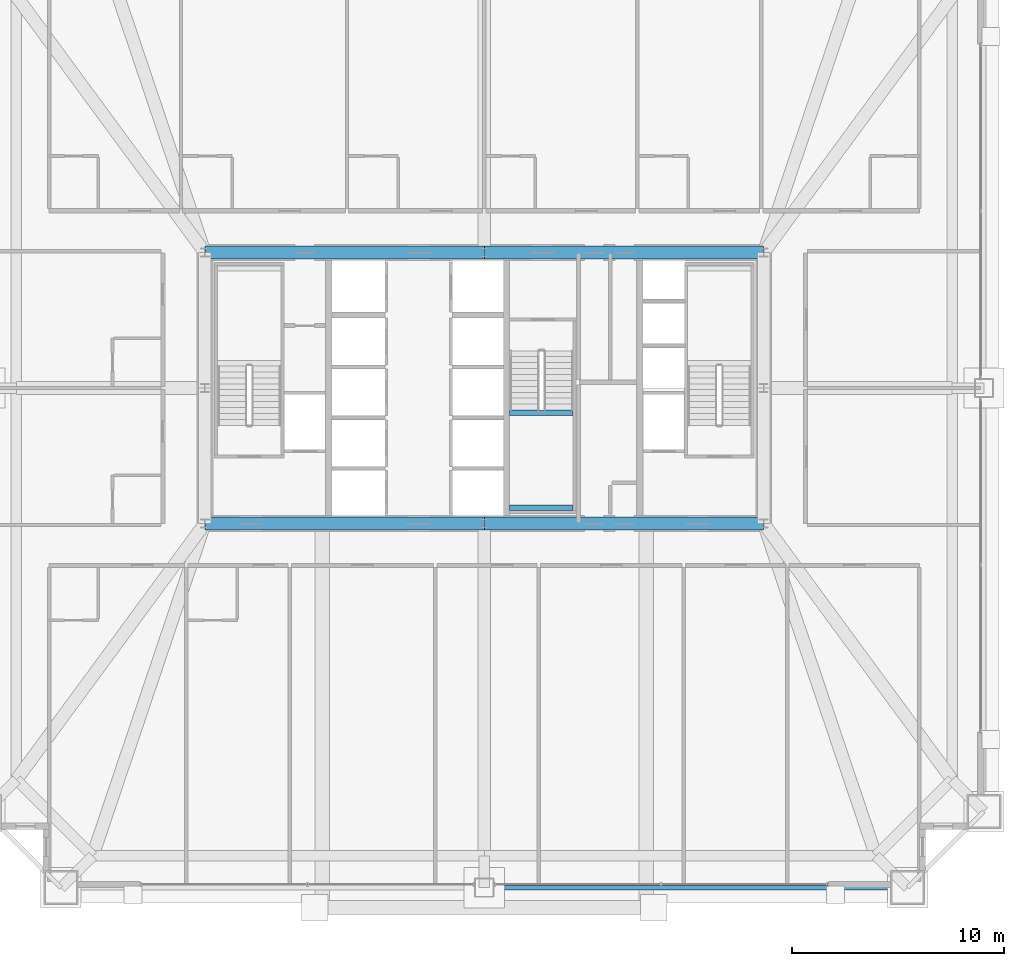
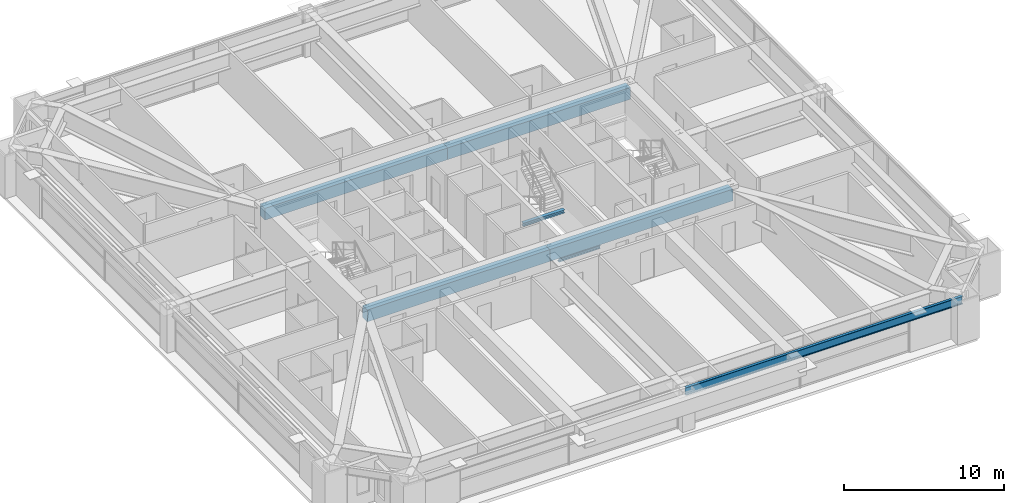
# One storey, part 15 of 45: 7 beams.
"""IFC4 building model written with IfcOpenShell, lengths in metres."""

from ifc_helpers import new_model, si_unit, direction, frame, origin, origin_2d, place, context, subcontext, project, spatial, rectangle, i_section, extrude, source, transform, mapped, material, material_profile, profile_set, type_object, element, save


model = new_model("IFC4")

# Units and contexts
model_context = context("Model", 3, precision=1e-05, world=origin(), true_north=direction((0.0, 1.0)))
body_context = subcontext(model_context, "Body", "Model", "MODEL_VIEW")
ifc_project = project(units=[si_unit("LENGTHUNIT", "METRE"), si_unit("AREAUNIT", "SQUARE_METRE"), si_unit("VOLUMEUNIT", "CUBIC_METRE"), si_unit("PLANEANGLEUNIT", "RADIAN"), si_unit("MASSUNIT", "GRAM", prefix="KILO"), si_unit("THERMODYNAMICTEMPERATUREUNIT", "KELVIN"), si_unit("POWERUNIT", "WATT")], contexts=[model_context])

# Site, building, storey
site_placement = place(None, origin())
site = spatial("IfcSite", under=ifc_project, at=site_placement, CompositionType="ELEMENT")
building_placement = place(site_placement, origin())
building = spatial("IfcBuilding", under=site, at=building_placement, Name="Yuzanri Waterfront Tower", CompositionType="ELEMENT")
storey_placement = place(building_placement, frame((0.0, 0.0, 163.199951171875)))
storey = spatial("IfcBuildingStorey", under=building, at=storey_placement, Name="L43", CompositionType="ELEMENT", Elevation=163.199951171875)

# Beams
ifc_material_1 = material(Name="Concrete C60", Category="concrete")
ifc_material_profile_1 = material_profile(ifc_material_1, rectangle(XDim=0.60009765625, YDim=0.89990234375, at=origin_2d()), Name="RC 600x900")
ifc_profile_set_1 = profile_set([ifc_material_profile_1], Name="Concrete C60")
beam_type_1 = type_object("IfcBeamType", Name="Core Coupling Lintel Concrete C60 600x900", PredefinedType="LINTEL", material=ifc_profile_set_1)
shared_shape_1 = source(origin(), body_context, "Body", "SweptSolid", [
    extrude(rectangle(XDim=0.60009765625, YDim=0.89990234375, at=origin_2d()), origin(), (0.0, 0.0, 1.0), 13.199951171875),
])
for number, where, z_axis, x_axis, name in (
    (1, (23.800048828125, 19.39990234375, 2.85009765625), (1.0, 0.0, 0.0), (0.0, 1.0, 0.0), "L43 Core Tie Beam CS1"),
    (2, (37.0, 19.39990234375, 2.85009765625), (1.0, 0.0, 0.0), (0.0, 1.0, 0.0), "L43 Core Tie Beam CS2"),
    (3, (23.800048828125, 32.199951171875, 2.85009765625), (1.0, 0.0, 0.0), (0.0, 1.0, 0.0), "L43 Core Tie Beam CN1"),
    (4, (37.0, 32.199951171875, 2.85009765625), (1.0, 0.0, 0.0), (0.0, 1.0, 0.0), "L43 Core Tie Beam CN2"),
):
    element("IfcBeam", number, at=place(storey_placement, frame(where, z_axis=z_axis, x_axis=x_axis)), inside=storey, type_object=beam_type_1, Name=name, PredefinedType="LINTEL", context=body_context, shape_type="MappedRepresentation", body=[
        mapped(shared_shape_1, transform((0.0, 0.0, 0.0), scale=1.0)),
    ])
ifc_material_2 = material(Name="Steel Q355B", Category="steel")
ifc_material_profile_2 = material_profile(ifc_material_2, i_section(OverallWidth=0.199951171875, OverallDepth=0.60009765625, WebThickness=0.010986328125, FlangeThickness=0.01708984375, at=origin_2d()), Name="HN 600x200x11x17")
ifc_profile_set_2 = profile_set([ifc_material_profile_2], Name="Steel Q355B")
beam_type_2 = type_object("IfcBeamType", Name="Perimeter Spandrel Q355B HN 600x200", PredefinedType="SPANDREL", material=ifc_profile_set_2)
shared_shape_2 = source(origin(), body_context, "Body", "SweptSolid", [
    extrude(i_section(OverallWidth=0.199951171875, OverallDepth=0.60009765625, WebThickness=0.010986328125, FlangeThickness=0.01708984375, at=origin_2d()), origin(), (0.0, 0.0, 1.0), 20.0),
])
beam_placement = place(storey_placement, frame((37.0, 2.199951171875, 2.75), z_axis=(1.0, 0.0, 0.0), x_axis=(0.0, 1.0, 0.0)))
element("IfcBeam", 5, at=beam_placement, inside=storey, type_object=beam_type_2, Name="L43 Perimeter Spandrel S2-S3", PredefinedType="SPANDREL", context=body_context, shape_type="MappedRepresentation", body=[
    mapped(shared_shape_2, transform((0.0, 0.0, 0.0), scale=1.0)),
])
ifc_material_3 = material(Name="Steel Q355B", Category="steel")
ifc_material_profile_3 = material_profile(ifc_material_3, i_section(OverallWidth=0.25, OverallDepth=0.25, WebThickness=0.009033203125, FlangeThickness=0.013916015625, at=origin_2d()), Name="HW 250x250x9x14")
ifc_profile_set_3 = profile_set([ifc_material_profile_3], Name="Steel Q355B")
beam_type_3 = type_object("IfcBeamType", Name="Stair Landing Support Beam Q355B HW 250x250", PredefinedType="BEAM", material=ifc_profile_set_3)
shared_shape_3 = source(origin(), body_context, "Body", "SweptSolid", [
    extrude(i_section(OverallWidth=0.25, OverallDepth=0.25, WebThickness=0.009033203125, FlangeThickness=0.013916015625, at=origin_2d()), origin(), (0.0, 0.0, 1.0), 3.0),
])
for number, where, z_axis, x_axis, name in (
    (6, (38.199951171875, 20.14990234375, 1.47509765625), (1.0, 0.0, 0.0), (0.0, 1.0, 0.0), "L43 Stair Landing Support Beam ST-03-L43-L1-1"),
    (7, (38.199951171875, 24.6298828125, 1.47509765625), (1.0, 0.0, 0.0), (0.0, 1.0, 0.0), "L43 Stair Landing Support Beam ST-03-L43-L1-2"),
):
    element("IfcBeam", number, at=place(storey_placement, frame(where, z_axis=z_axis, x_axis=x_axis)), inside=storey, type_object=beam_type_3, Name=name, PredefinedType="BEAM", context=body_context, shape_type="MappedRepresentation", body=[
        mapped(shared_shape_3, transform((0.0, 0.0, 0.0), scale=1.0)),
    ])

save(model, "model.ifc")
